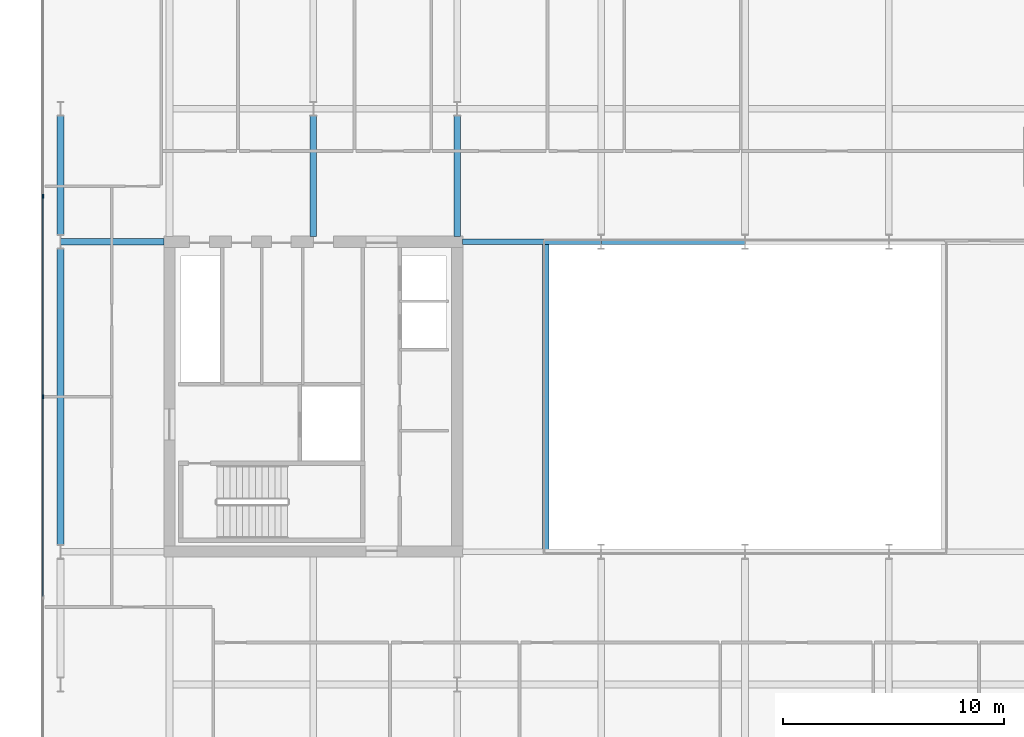
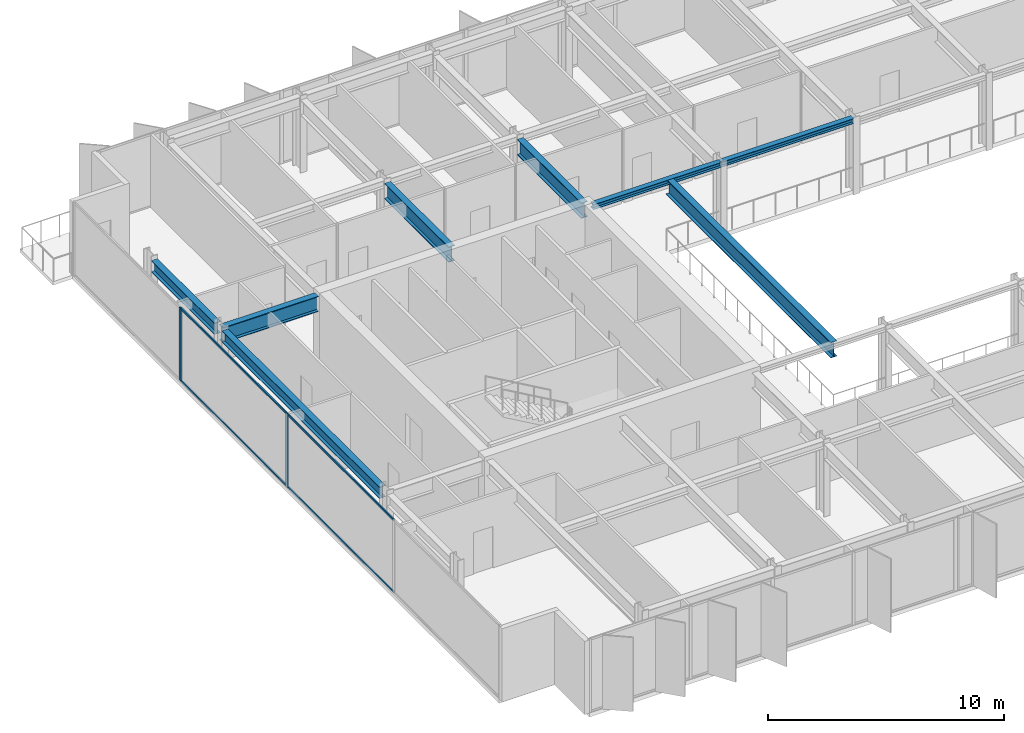
# One storey, part 5 of 20: 8 beams, 6 members, 1 element without a shape of its own.
"""IFC4 building model written with IfcOpenShell, lengths in metres."""

from ifc_helpers import new_model, si_unit, direction, frame, origin, origin_2d, place, context, subcontext, project, spatial, rectangle, i_section, extrude, material, layer, layer_set, material_profile, profile_set, type_object, element, aggregate, save


model = new_model("IFC4")

# Units and contexts
model_context = context("Model", 3, precision=1e-05, world=origin(), true_north=direction((0.0, 1.0)))
body_context = subcontext(model_context, "Body", "Model", "MODEL_VIEW")
ifc_project = project(units=[si_unit("LENGTHUNIT", "METRE"), si_unit("AREAUNIT", "SQUARE_METRE"), si_unit("VOLUMEUNIT", "CUBIC_METRE"), si_unit("PLANEANGLEUNIT", "RADIAN"), si_unit("MASSUNIT", "GRAM", prefix="KILO")], contexts=[model_context])

# Site, building, storey
site_placement = place(None, origin())
site = spatial("IfcSite", under=ifc_project, at=site_placement, CompositionType="ELEMENT")
building_placement = place(site_placement, origin())
building = spatial("IfcBuilding", under=site, at=building_placement, Name="Putna Gate Headquarters", CompositionType="ELEMENT")
storey_placement = place(building_placement, frame((0.0, 0.0, 282.39990234375)))
storey = spatial("IfcBuildingStorey", under=building, at=storey_placement, Name="L71", CompositionType="ELEMENT", Elevation=282.39990234375)

# Beams
ifc_material_1 = material(Name="Steel S355J2", Category="steel")
ifc_material_profile_1 = material_profile(ifc_material_1, i_section(OverallWidth=0.260009765625, OverallDepth=0.260009765625, WebThickness=0.010009765625, FlangeThickness=0.017578125, at=origin_2d()), Name="Steel S355J2")
ifc_profile_set_1 = profile_set([ifc_material_profile_1], Name="Steel S355J2")
beam_type_1 = type_object("IfcBeamType", Name="BM-ATRIUM-HEB260", PredefinedType="BEAM", material=ifc_profile_set_1)
beam_1_placement = place(storey_placement, frame((26.235107421875, 33.0, 3.658203125), z_axis=(1.0, 0.0, 0.0), x_axis=(0.0, 1.0, 0.0)))
element("IfcBeam", 1, at=beam_1_placement, inside=storey, type_object=beam_type_1, Name="L71 Atrium Edge Beam AN1", PredefinedType="BEAM", context=body_context, shape_type="SweptSolid", body=[
    extrude(i_section(OverallWidth=0.260009765625, OverallDepth=0.260009765625, WebThickness=0.010009765625, FlangeThickness=0.017578125, at=origin_2d()), origin(), (0.0, 0.0, 1.0), 6.2587890625),
])
beam_2_placement = place(storey_placement, frame((32.506103515625, 33.0, 3.658203125), z_axis=(1.0, 0.0, 0.0), x_axis=(0.0, 1.0, 0.0)))
element("IfcBeam", 2, at=beam_2_placement, inside=storey, type_object=beam_type_1, Name="L71 Atrium Edge Beam AN2", PredefinedType="BEAM", context=body_context, shape_type="SweptSolid", body=[
    extrude(i_section(OverallWidth=0.260009765625, OverallDepth=0.260009765625, WebThickness=0.010009765625, FlangeThickness=0.017578125, at=origin_2d()), origin(), (0.0, 0.0, 1.0), 6.48779296875),
])
ifc_material_profile_2 = material_profile(ifc_material_1, i_section(OverallWidth=0.300048828125, OverallDepth=0.800048828125, WebThickness=0.017578125, FlangeThickness=0.032958984375, at=origin_2d()), Name="Steel S355J2")
ifc_profile_set_2 = profile_set([ifc_material_profile_2], Name="Steel S355J2")
beam_type_2 = type_object("IfcBeamType", Name="BM-GIRD-P-HEB800", PredefinedType="USERDEFINED", material=ifc_profile_set_2)
beam_3_placement = place(storey_placement, frame((8.0859375, 33.0, 3.38818359375), z_axis=(1.0, 0.0, 0.0), x_axis=(0.0, 1.0, 0.0)))
element("IfcBeam", 3, at=beam_3_placement, inside=storey, type_object=beam_type_2, Name="L71 West Wing Girder Y33", ObjectType="GIRDER", PredefinedType="USERDEFINED", context=body_context, shape_type="SweptSolid", body=[
    extrude(i_section(OverallWidth=0.300048828125, OverallDepth=0.800048828125, WebThickness=0.017578125, FlangeThickness=0.032958984375, at=origin_2d()), origin(), (0.0, 0.0, 1.0), 4.678955078125),
])
for number, where, z_axis, x_axis, name in (
    (4, (19.5, 33.235107421875, 3.38818359375), (0.0, 1.0, 0.0), (-1.0, 0.0, 0.0), "L71 North Primary Girder X19-1"),
    (5, (26.0, 33.235107421875, 3.38818359375), (0.0, 1.0, 0.0), (-1.0, 0.0, 0.0), "L71 North Primary Girder X26-1"),
):
    element("IfcBeam", number, at=place(storey_placement, frame(where, z_axis=z_axis, x_axis=x_axis)), inside=storey, type_object=beam_type_2, Name=name, ObjectType="GIRDER", PredefinedType="USERDEFINED", context=body_context, shape_type="SweptSolid", body=[
        extrude(i_section(OverallWidth=0.300048828125, OverallDepth=0.800048828125, WebThickness=0.017578125, FlangeThickness=0.032958984375, at=origin_2d()), origin(), (0.0, 0.0, 1.0), 5.44287109375),
    ])
beam_4_placement = place(storey_placement, frame((30.0, 19.010009765625, 3.38818359375), z_axis=(0.0, 1.0, 0.0), x_axis=(-1.0, 0.0, 0.0)))
element("IfcBeam", 6, at=beam_4_placement, inside=storey, type_object=beam_type_2, Name="L71 Atrium Trim Girder AW", ObjectType="GIRDER", PredefinedType="USERDEFINED", context=body_context, shape_type="SweptSolid", body=[
    extrude(i_section(OverallWidth=0.300048828125, OverallDepth=0.800048828125, WebThickness=0.017578125, FlangeThickness=0.032958984375, at=origin_2d()), origin(), (0.0, 0.0, 1.0), 13.97998046875),
])
ifc_material_profile_3 = material_profile(ifc_material_1, i_section(OverallWidth=0.300048828125, OverallDepth=0.590087890625, WebThickness=0.012939453125, FlangeThickness=0.02490234375, at=origin_2d()), Name="Steel S355J2")
ifc_profile_set_3 = profile_set([ifc_material_profile_3], Name="Steel S355J2")
beam_type_3 = type_object("IfcBeamType", Name="BM-SPAN-Z4-HEA600", PredefinedType="SPANDREL", material=ifc_profile_set_3)
beam_5_placement = place(storey_placement, frame((8.080078125, 19.322021484375, 3.4931640625), z_axis=(0.0, 1.0, 0.0), x_axis=(-1.0, 0.0, 0.0)))
element("IfcBeam", 7, at=beam_5_placement, inside=storey, type_object=beam_type_3, Name="L71 W End Spandrel 2", PredefinedType="SPANDREL", context=body_context, shape_type="SweptSolid", body=[
    extrude(i_section(OverallWidth=0.300048828125, OverallDepth=0.590087890625, WebThickness=0.012939453125, FlangeThickness=0.02490234375, at=origin_2d()), origin(), (0.0, 0.0, 1.0), 13.35595703125),
])
beam_6_placement = place(storey_placement, frame((8.080078125, 33.322021484375, 3.4931640625), z_axis=(0.0, 1.0, 0.0), x_axis=(-1.0, 0.0, 0.0)))
element("IfcBeam", 8, at=beam_6_placement, inside=storey, type_object=beam_type_3, Name="L71 W End Spandrel 3", PredefinedType="SPANDREL", context=body_context, shape_type="SweptSolid", body=[
    extrude(i_section(OverallWidth=0.300048828125, OverallDepth=0.590087890625, WebThickness=0.012939453125, FlangeThickness=0.02490234375, at=origin_2d()), origin(), (0.0, 0.0, 1.0), 5.35595703125),
])

# Curtain wall, members
ifc_material_2 = material(Name="Anodised bronze aluminium curtain wall", Category="aluminium")
ifc_layer = layer(ifc_material_2, 0.179931640625)
ifc_layer_set = layer_set([ifc_layer], Name="Anodised bronze aluminium curtain wall")
curtain_wall_type = type_object("IfcCurtainWallType", Name="CW-SYS-Z5", PredefinedType="USERDEFINED", material=ifc_layer_set)
curtain_wall_placement = place(storey_placement, origin())
curtain_wall = element("IfcCurtainWall", 9, at=curtain_wall_placement, inside=storey, type_object=curtain_wall_type, Name="L71 West Curtain Wall", ObjectType="STICK CURTAIN WALL", PredefinedType="USERDEFINED")
ifc_material_3 = material(Name="Anodised bronze aluminium EN AW-6060", Category="aluminium")
ifc_material_profile_4 = material_profile(ifc_material_3, rectangle(XDim=0.070068359375, YDim=0.179931640625, at=origin_2d()), Name="Anodised bronze aluminium EN AW-6060")
ifc_profile_set_4 = profile_set([ifc_material_profile_4], Name="Anodised bronze aluminium EN AW-6060")
member_type_1 = type_object("IfcMemberType", Name="MULL-CWM-5", PredefinedType="MULLION", material=ifc_profile_set_4)
member_1_placement = place(storey_placement, frame((7.280029296875, 26.0, 0.0), z_axis=(0.0, 0.0, 1.0), x_axis=(-1.0, 0.0, 0.0)))
member_1 = element("IfcMember", 10, at=member_1_placement, type_object=member_type_1, Name="CWS-5 mullion 3", PredefinedType="MULLION", context=body_context, shape_type="SweptSolid", body=[
    extrude(rectangle(XDim=0.070068359375, YDim=0.179931640625, at=origin_2d()), origin(), (0.0, 0.0, 1.0), 3.7880859375),
])
member_2_placement = place(storey_placement, frame((7.280029296875, 35.050048828125, 0.0), z_axis=(0.0, 0.0, 1.0), x_axis=(-1.0, 0.0, 0.0)))
member_2 = element("IfcMember", 11, at=member_2_placement, type_object=member_type_1, Name="CWS-5 mullion 4", PredefinedType="MULLION", context=body_context, shape_type="SweptSolid", body=[
    extrude(rectangle(XDim=0.070068359375, YDim=0.179931640625, at=origin_2d()), origin(), (0.0, 0.0, 1.0), 3.7880859375),
])
ifc_material_profile_5 = material_profile(ifc_material_3, rectangle(XDim=0.06005859375, YDim=0.10009765625, at=origin_2d()), Name="Anodised bronze aluminium EN AW-6060")
ifc_profile_set_5 = profile_set([ifc_material_profile_5], Name="Anodised bronze aluminium EN AW-6060")
member_type_2 = type_object("IfcMemberType", Name="TRAN-CWT-5", PredefinedType="USERDEFINED", material=ifc_profile_set_5)
member_3_placement = place(storey_placement, frame((7.280029296875, 16.985107421875, 0.030029296875), z_axis=(0.0, 1.0, 0.0), x_axis=(-1.0, 0.0, 0.0)))
member_3 = element("IfcMember", 12, at=member_3_placement, type_object=member_type_2, Name="CWS-5 transom 2.1", ObjectType="TRANSOM", PredefinedType="USERDEFINED", context=body_context, shape_type="SweptSolid", body=[
    extrude(rectangle(XDim=0.06005859375, YDim=0.10009765625, at=origin_2d()), origin(), (0.0, 0.0, 1.0), 8.97998046875),
])
member_4_placement = place(storey_placement, frame((7.280029296875, 16.985107421875, 3.758056640625), z_axis=(0.0, 1.0, 0.0), x_axis=(-1.0, 0.0, 0.0)))
member_4 = element("IfcMember", 13, at=member_4_placement, type_object=member_type_2, Name="CWS-5 transom 2.2", ObjectType="TRANSOM", PredefinedType="USERDEFINED", context=body_context, shape_type="SweptSolid", body=[
    extrude(rectangle(XDim=0.06005859375, YDim=0.10009765625, at=origin_2d()), origin(), (0.0, 0.0, 1.0), 8.97998046875),
])
member_5_placement = place(storey_placement, frame((7.280029296875, 26.034912109375, 0.030029296875), z_axis=(0.0, 1.0, 0.0), x_axis=(-1.0, 0.0, 0.0)))
member_5 = element("IfcMember", 14, at=member_5_placement, type_object=member_type_2, Name="CWS-5 transom 3.1", ObjectType="TRANSOM", PredefinedType="USERDEFINED", context=body_context, shape_type="SweptSolid", body=[
    extrude(rectangle(XDim=0.06005859375, YDim=0.10009765625, at=origin_2d()), origin(), (0.0, 0.0, 1.0), 8.97998046875),
])
member_6_placement = place(storey_placement, frame((7.280029296875, 26.034912109375, 3.758056640625), z_axis=(0.0, 1.0, 0.0), x_axis=(-1.0, 0.0, 0.0)))
member_6 = element("IfcMember", 15, at=member_6_placement, type_object=member_type_2, Name="CWS-5 transom 3.2", ObjectType="TRANSOM", PredefinedType="USERDEFINED", context=body_context, shape_type="SweptSolid", body=[
    extrude(rectangle(XDim=0.06005859375, YDim=0.10009765625, at=origin_2d()), origin(), (0.0, 0.0, 1.0), 8.97998046875),
])
aggregate(curtain_wall, [member_1, member_2, member_3, member_4, member_5, member_6])

save(model, "model.ifc")
